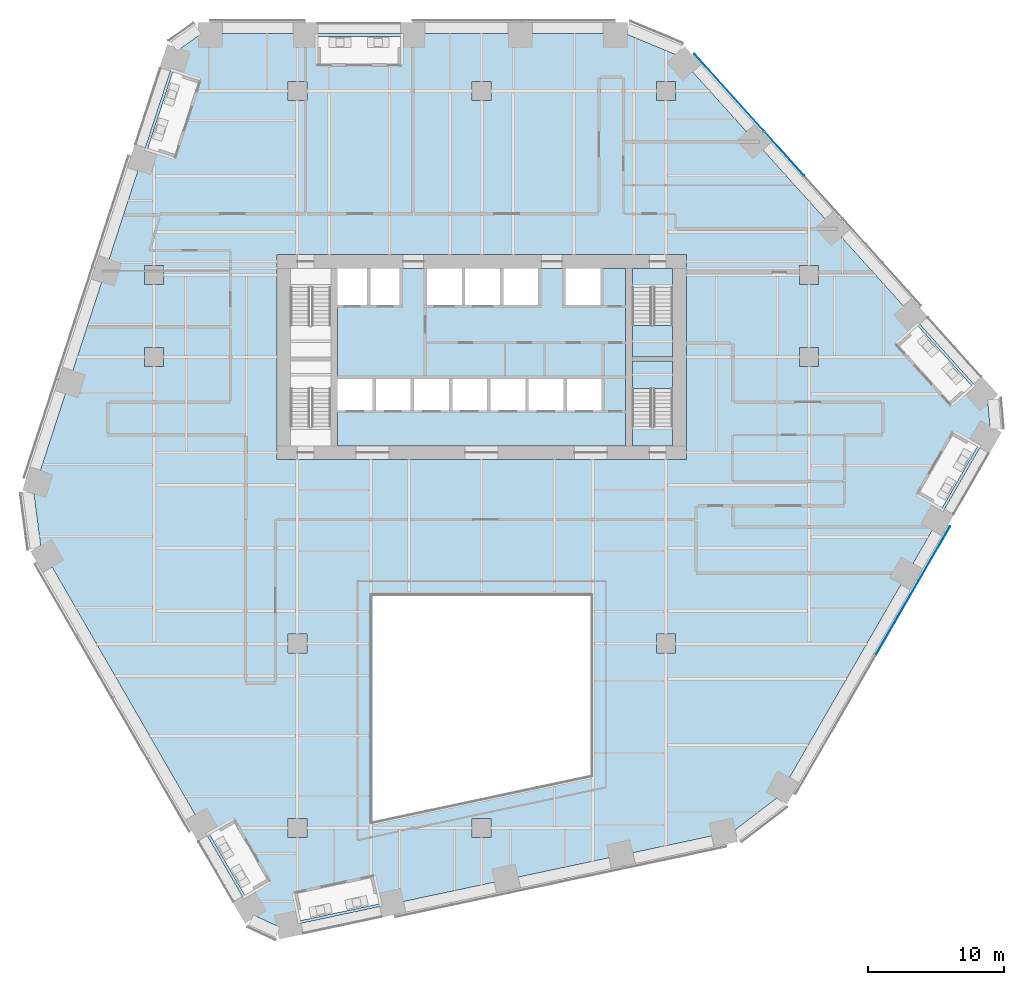
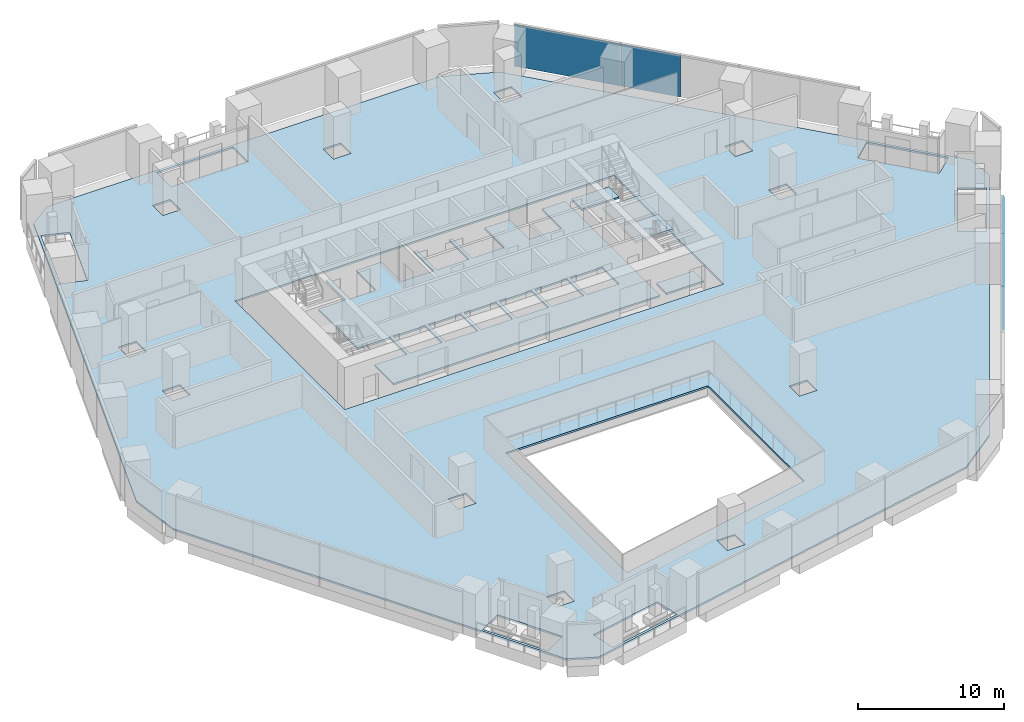
# One storey, part 18 of 28: 6 slabs, 4 plates, 4 elements without a shape of their own.
"""IFC4 building model written with IfcOpenShell, lengths in metres."""

import ifcopenshell
import ifcopenshell.guid

model = None  # the IFC model being written
_history = None  # IfcOwnerHistory: only IFC2X3 demands one
_inside = {}  # id of a spatial element -> (the spatial element, [elements in it])
_under = {}  # id of a project, library or spatial element -> (it, [spatial elements below it])
_declared = {}  # id of a project -> (the project, [libraries it declares])
_typed = {}  # id of a type object -> (the type object, [elements of that type])
_made_of = {}  # id of a material, layer set ... -> (it, [elements and type objects made of it])


def new_model(schema):
    """Start an empty IFC model of exactly this schema.

    Asked for "IFC4X3", IfcOpenShell would pick the latest addendum, in which some entities
    have other attributes; the version numbers below select the first issue.
    IFC2X3 requires an IfcOwnerHistory on every rooted entity: one is made here for all.
    """
    global model, _history
    if schema == "IFC4X3":
        model = ifcopenshell.file(schema_version=(4, 3, 0, 0))
    else:
        model = ifcopenshell.file(schema=schema)
    _inside.clear()
    _under.clear()
    _declared.clear()
    _typed.clear()
    _made_of.clear()
    _history = None
    if model.schema == "IFC2X3":
        org = make("IfcOrganization", Name="unknown")
        user = make(
            "IfcPersonAndOrganization",
            ThePerson=make("IfcPerson", FamilyName="unknown"),
            TheOrganization=org,
        )
        app = make(
            "IfcApplication",
            ApplicationDeveloper=org,
            Version="unknown",
            ApplicationFullName="unknown",
            ApplicationIdentifier="unknown",
        )
        _history = make(
            "IfcOwnerHistory",
            OwningUser=user,
            OwningApplication=app,
            ChangeAction="ADDED",
            CreationDate=0,
        )
    return model


def make(cls, **values):
    """One entity of the class cls with the attributes given. An attribute that is None is left unset."""
    return model.create_entity(
        cls, **{name: value for name, value in values.items() if value is not None}
    )


def rooted(cls, **values):
    """An entity with a GlobalId (a new one), such as an element, a storey or a relation."""
    return make(cls, GlobalId=ifcopenshell.guid.new(), OwnerHistory=_history, **values)


def si_unit(unit_type, name, prefix=None):
    """IfcSIUnit, for example si_unit("LENGTHUNIT", "METRE", prefix="MILLI")."""
    return make("IfcSIUnit", UnitType=unit_type, Prefix=prefix, Name=name)


def assignment(units):
    """IfcUnitAssignment: the units of a project."""
    return None if units is None else make("IfcUnitAssignment", Units=units)


def point(xyz):
    """IfcCartesianPoint."""
    return None if xyz is None else make("IfcCartesianPoint", Coordinates=xyz)


def direction(xyz):
    """IfcDirection."""
    return None if xyz is None else make("IfcDirection", DirectionRatios=xyz)


def frame(location, z_axis=None, x_axis=None):
    """IfcAxis2Placement3D, a coordinate frame: its origin and axes. An axis left out is left unset."""
    return make(
        "IfcAxis2Placement3D",
        Location=point(location),
        Axis=direction(z_axis),
        RefDirection=direction(x_axis),
    )


def frame_2d(location, x_axis=None):
    """IfcAxis2Placement2D, a coordinate frame in the plane: its origin and x axis."""
    return make(
        "IfcAxis2Placement2D", Location=point(location), RefDirection=direction(x_axis)
    )


def origin():
    """The frame at (0, 0, 0) with its axes left unset."""
    return frame((0.0, 0.0, 0.0))


def origin_2d():
    """The frame at (0, 0) in the plane with its x axis left unset."""
    return frame_2d((0.0, 0.0))


def place(relative_to, where):
    """IfcLocalPlacement: puts the frame where relative to a parent placement (None: the world)."""
    return make(
        "IfcLocalPlacement", PlacementRelTo=relative_to, RelativePlacement=where
    )


def context(
    kind, dimensions, precision=None, world=None, true_north=None, identifier=None
):
    """IfcGeometricRepresentationContext, for example the 3D "Model" context."""
    return make(
        "IfcGeometricRepresentationContext",
        ContextIdentifier=identifier,
        ContextType=kind,
        CoordinateSpaceDimension=dimensions,
        Precision=precision,
        WorldCoordinateSystem=world,
        TrueNorth=true_north,
    )


def subcontext(parent, identifier, kind, view, scale=None):
    """IfcGeometricRepresentationSubContext, for example "Body" below "Model"."""
    return make(
        "IfcGeometricRepresentationSubContext",
        ContextIdentifier=identifier,
        ContextType=kind,
        ParentContext=parent,
        TargetScale=scale,
        TargetView=view,
    )


def project(units=None, contexts=None):
    """IfcProject with its units and contexts."""
    return rooted(
        "IfcProject",
        Name="project",
        RepresentationContexts=contexts,
        UnitsInContext=assignment(units),
    )


def spatial(cls, under=None, at=None, **own):
    """A site, building, storey or space (cls), placed at a placement, below another one or the project."""
    s = rooted(cls, ObjectPlacement=at, **own)
    if under is not None:
        _under.setdefault(under.id(), (under, []))[1].append(s)
    return s


def polyline(points):
    """IfcPolyline through the points."""
    return make("IfcPolyline", Points=[point(p) for p in points])


def profile(cls, at=None, kind="AREA", **sizes):
    """A parametric profile (cls). Its sizes go by their IFC names, for example OverallWidth=200.0."""
    return make(cls, ProfileType=kind, Position=at, **sizes)


def rectangle(**sizes):
    """IfcRectangleProfileDef."""
    return profile("IfcRectangleProfileDef", **sizes)


def outline(outer, holes=None, kind="AREA"):
    """IfcArbitraryClosedProfileDef: a profile drawn as a closed curve; with holes, ...WithVoids."""
    if holes is None:
        return make("IfcArbitraryClosedProfileDef", ProfileType=kind, OuterCurve=outer)
    return make(
        "IfcArbitraryProfileDefWithVoids",
        ProfileType=kind,
        OuterCurve=outer,
        InnerCurves=holes,
    )


def extrude(swept, where, along, depth):
    """IfcExtrudedAreaSolid: the profile swept, set in the frame where, extruded along a direction by depth."""
    return make(
        "IfcExtrudedAreaSolid",
        SweptArea=swept,
        Position=where,
        ExtrudedDirection=direction(along),
        Depth=depth,
    )


def shape(context_of_items, identifier, shape_type, items):
    """IfcShapeRepresentation: the items that make up one representation, for example the "Body"."""
    return make(
        "IfcShapeRepresentation",
        ContextOfItems=context_of_items,
        RepresentationIdentifier=identifier,
        RepresentationType=shape_type,
        Items=items,
    )


def material(Name=None, Category=None):
    """IfcMaterial."""
    return make("IfcMaterial", Name=Name, Category=Category)


def layer(
    of_material, thickness, ventilated=None, Name=None, Category=None, Priority=None
):
    """IfcMaterialLayer: one layer of a wall or slab, of a material (None: an air gap)."""
    return make(
        "IfcMaterialLayer",
        Material=of_material,
        LayerThickness=thickness,
        IsVentilated=ventilated,
        Name=Name,
        Category=Category,
        Priority=Priority,
    )


def layer_set(layers, Name=None):
    """IfcMaterialLayerSet."""
    return make("IfcMaterialLayerSet", MaterialLayers=layers, LayerSetName=Name)


def made_of(thing, what):
    """Note that an element or type object is made of a material, layer set ...; save() writes the relation."""
    if what is not None:
        _made_of.setdefault(what.id(), (what, []))[1].append(thing)
    return thing


def type_object(cls, material=None, **own):
    """A type object (cls), such as IfcWallType, which elements share."""
    return made_of(rooted(cls, **own), material)


def element(
    cls,
    number,
    at=None,
    inside=None,
    cuts=None,
    type_object=None,
    material=None,
    context=None,
    identifier="Body",
    shape_type=None,
    held_by="IfcProductDefinitionShape",
    body=None,
    shapes=None,
    **own,
):
    """One element of the class cls, such as IfcWall. Its Tag is "e" and its number.

    at: its placement. inside: the storey or other place that contains it. cuts: it is an
    opening in that element (IfcRelVoidsElement). A single representation is given by context,
    identifier, shape_type and body (its items); several are given by shapes. held_by: the class
    of the entity that holds the representations. save() writes the other relations.
    """
    e = rooted(cls, Tag="e%d" % number, ObjectPlacement=at, **own)
    if body is not None:
        shapes = [shape(context, identifier, shape_type, body)]
    if shapes is not None:
        e.Representation = make(held_by, Representations=shapes)
    if inside is not None:
        _inside.setdefault(inside.id(), (inside, []))[1].append(e)
    if cuts is not None:
        rooted(
            "IfcRelVoidsElement", RelatingBuildingElement=cuts, RelatedOpeningElement=e
        )
    if type_object is not None:
        _typed.setdefault(type_object.id(), (type_object, []))[1].append(e)
    return made_of(e, material)


def aggregate(whole, parts):
    """IfcRelAggregates: a whole, such as a stair, and the parts it consists of."""
    return rooted("IfcRelAggregates", RelatingObject=whole, RelatedObjects=parts)


def save(model, path):
    """Write the relations noted so far, then the file.

    IfcRelAggregates (storeys below a building ...), IfcRelContainedInSpatialStructure (elements
    in a storey), IfcRelDefinesByType, IfcRelAssociatesMaterial and IfcRelDeclares: one each for
    every whole, place, type object, material and project.
    """
    for whole, parts in _under.values():
        aggregate(whole, parts)
    for where, things in _inside.values():
        rooted(
            "IfcRelContainedInSpatialStructure",
            RelatedElements=things,
            RelatingStructure=where,
        )
    for kind, things in _typed.values():
        rooted("IfcRelDefinesByType", RelatedObjects=things, RelatingType=kind)
    for what, things in _made_of.values():
        rooted("IfcRelAssociatesMaterial", RelatedObjects=things, RelatingMaterial=what)
    for by, libraries in _declared.values():
        rooted("IfcRelDeclares", RelatingContext=by, RelatedDefinitions=libraries)
    model.write(path)


model = new_model("IFC4")

# Units and contexts
model_context = context("Model", 3, precision=1e-05, world=origin(), true_north=direction((0.0, 1.0)))
body_context = subcontext(model_context, "Body", "Model", "MODEL_VIEW")
ifc_project = project(units=[si_unit("LENGTHUNIT", "METRE"), si_unit("AREAUNIT", "SQUARE_METRE"), si_unit("VOLUMEUNIT", "CUBIC_METRE"), si_unit("PLANEANGLEUNIT", "RADIAN"), si_unit("MASSUNIT", "GRAM", prefix="KILO")], contexts=[model_context])

# Site, building, storey
site_placement = place(None, origin())
site = spatial("IfcSite", under=ifc_project, at=site_placement, CompositionType="ELEMENT")
building_placement = place(site_placement, origin())
building = spatial("IfcBuilding", under=site, at=building_placement, Name="Isthmus Gate Tower", CompositionType="ELEMENT")
storey_placement = place(building_placement, frame((0.0, 0.0, 68.85009765625)))
storey = spatial("IfcBuildingStorey", under=building, at=storey_placement, Name="L15", CompositionType="ELEMENT", Elevation=68.85009765625)

# Slabs
ifc_material_1 = material(Name="Concrete f'c 40 MPa", Category="concrete")
ifc_layer_1 = layer(ifc_material_1, 0.14990234375)
ifc_layer_set_1 = layer_set([ifc_layer_1], Name="COMPOSITE FLOOR SLAB 150")
slab_type_1 = type_object("IfcSlabType", Name="COMPOSITE FLOOR SLAB 150", PredefinedType="FLOOR", material=ifc_layer_set_1)
slab_1_placement = place(storey_placement, frame((0.0, 0.0, -0.150146484375)))
element("IfcSlab", 1, at=slab_1_placement, inside=storey, type_object=slab_type_1, Name="str-slab-L15-1", PredefinedType="FLOOR", context=body_context, shape_type="SweptSolid", body=[
    extrude(outline(polyline([(14.391357421875, 29.599365234375), (37.081787109375, 4.399169921875), (37.281494140625, 2.17333984375), (21.748779296875, -24.729736328125), (18.438232421875, -27.262939453125), (-14.73095703125, -34.313232421875), (-16.758544921875, -33.373291015625), (-32.291015625, -6.47021484375), (-32.82958984375, -2.33642578125), (-22.3505859375, 29.9140625), (-20.52294921875, 31.199951171875), (10.542236328125, 31.199951171875), (14.391357421875, 29.599365234375)]), holes=[polyline([(-7.51220703125, -32.574462890625), (-7.927978515625, -30.6181640625), (-13.688720703125, -31.842529296875), (-13.272705078125, -33.798828125), (-7.51220703125, -32.574462890625)]), polyline([(-17.358642578125, -31.933837890625), (-15.626708984375, -30.933837890625), (-18.198486328125, -26.4794921875), (-19.930419921875, -27.4794921875), (-17.358642578125, -31.933837890625)]), polyline([(-14.199951171875, -26.300048828125), (-14.199951171875, -27.699951171875), (-12.800048828125, -27.699951171875), (-12.800048828125, -26.300048828125), (-14.199951171875, -26.300048828125)]), polyline([(-0.699951171875, -26.300048828125), (-0.699951171875, -27.699951171875), (0.699951171875, -27.699951171875), (0.699951171875, -26.300048828125), (-0.699951171875, -26.300048828125)]), polyline([(-14.199951171875, -12.800048828125), (-14.199951171875, -14.199951171875), (-12.800048828125, -14.199951171875), (-12.800048828125, -12.800048828125), (-14.199951171875, -12.800048828125)]), polyline([(-23.300048828125, 8.199951171875), (-24.699951171875, 8.199951171875), (-24.699951171875, 6.800048828125), (-23.300048828125, 6.800048828125), (-23.300048828125, 8.199951171875)]), polyline([(-23.300048828125, 14.199951171875), (-24.699951171875, 14.199951171875), (-24.699951171875, 12.800048828125), (-23.300048828125, 12.800048828125), (-23.300048828125, 14.199951171875)]), polyline([(-22.63427734375, 28.39404296875), (-24.4541015625, 22.79296875), (-22.552001953125, 22.1748046875), (-20.732177734375, 27.77587890625), (-22.63427734375, 28.39404296875)]), polyline([(-12.800048828125, 27.699951171875), (-14.199951171875, 27.699951171875), (-14.199951171875, 26.300048828125), (-12.800048828125, 26.300048828125), (-12.800048828125, 27.699951171875)]), polyline([(-12.006591796875, 31.0), (-12.006591796875, 29.0), (-5.937255859375, 29.0), (-5.937255859375, 31.0), (-12.006591796875, 31.0)]), polyline([(8.0, -23.143310546875), (8.0, -10.0), (-8.0, -10.0), (-8.0, -26.544189453125), (8.0, -23.143310546875)]), polyline([(14.199951171875, -12.800048828125), (12.800048828125, -12.800048828125), (12.800048828125, -14.199951171875), (14.199951171875, -14.199951171875), (14.199951171875, -12.800048828125)]), polyline([(33.75, -3.54296875), (36.3349609375, 0.933837890625), (34.602783203125, 1.933837890625), (32.01806640625, -2.54296875), (33.75, -3.54296875)]), polyline([(35.906982421875, 5.40478515625), (31.96630859375, 9.781494140625), (30.47998046875, 8.443115234375), (34.4208984375, 4.066650390625), (35.906982421875, 5.40478515625)]), polyline([(15.0, 15.0), (-15.0, 15.0), (-15.0, 0.0), (15.0, 0.0), (15.0, 15.0)]), polyline([(24.699951171875, 8.199951171875), (23.300048828125, 8.199951171875), (23.300048828125, 6.800048828125), (24.699951171875, 6.800048828125), (24.699951171875, 8.199951171875)]), polyline([(23.300048828125, 14.199951171875), (23.300048828125, 12.800048828125), (24.699951171875, 12.800048828125), (24.699951171875, 14.199951171875), (23.300048828125, 14.199951171875)]), polyline([(0.699951171875, 26.300048828125), (0.699951171875, 27.699951171875), (-0.699951171875, 27.699951171875), (-0.699951171875, 26.300048828125), (0.699951171875, 26.300048828125)]), polyline([(14.199951171875, 26.300048828125), (14.199951171875, 27.699951171875), (12.800048828125, 27.699951171875), (12.800048828125, 26.300048828125), (14.199951171875, 26.300048828125)])]), origin(), (0.0, 0.0, 1.0), 0.150146484375),
])
ifc_material_2 = material(Name="Concrete f'c 40 MPa", Category="concrete")
ifc_layer_2 = layer(ifc_material_2, 0.14990234375)
ifc_layer_set_2 = layer_set([ifc_layer_2], Name="CORE FLOOR SLAB 150")
slab_type_2 = type_object("IfcSlabType", Name="CORE FLOOR SLAB 150", PredefinedType="FLOOR", material=ifc_layer_set_2)
slab_2_placement = place(storey_placement, frame((0.0, 0.0, -0.150146484375)))
element("IfcSlab", 2, at=slab_2_placement, inside=storey, type_object=slab_type_2, Name="L15 core floor", PredefinedType="FLOOR", context=body_context, shape_type="SweptSolid", body=[
    extrude(outline(polyline([(10.550048828125, 14.0), (8.699951171875, 14.0), (8.699951171875, 11.300048828125), (6.14990234375, 11.300048828125), (6.14990234375, 14.0), (4.14990234375, 14.0), (4.14990234375, 11.300048828125), (1.60009765625, 11.300048828125), (1.60009765625, 14.0), (1.35009765625, 14.0), (1.35009765625, 11.300048828125), (-1.199951171875, 11.300048828125), (-1.199951171875, 14.0), (-1.449951171875, 14.0), (-1.449951171875, 11.300048828125), (-4.0, 11.300048828125), (-4.0, 14.0), (-6.0, 14.0), (-6.0, 11.300048828125), (-8.14990234375, 11.300048828125), (-8.14990234375, 14.0), (-8.39990234375, 14.0), (-8.39990234375, 11.300048828125), (-10.550048828125, 11.300048828125), (-10.550048828125, 5.89990234375), (-8.0, 5.89990234375), (-8.0, 3.60009765625), (-10.550048828125, 3.60009765625), (-10.550048828125, 1.0), (10.550048828125, 1.0), (10.550048828125, 14.0)]), holes=[polyline([(-5.199951171875, 5.89990234375), (-5.199951171875, 3.60009765625), (-7.75, 3.60009765625), (-7.75, 5.89990234375), (-5.199951171875, 5.89990234375)]), polyline([(-2.39990234375, 5.89990234375), (-2.39990234375, 3.60009765625), (-4.949951171875, 3.60009765625), (-4.949951171875, 5.89990234375), (-2.39990234375, 5.89990234375)]), polyline([(0.39990234375, 5.89990234375), (0.39990234375, 3.60009765625), (-2.14990234375, 3.60009765625), (-2.14990234375, 5.89990234375), (0.39990234375, 5.89990234375)]), polyline([(3.199951171875, 5.89990234375), (3.199951171875, 3.60009765625), (0.64990234375, 3.60009765625), (0.64990234375, 5.89990234375), (3.199951171875, 5.89990234375)]), polyline([(6.0, 5.89990234375), (6.0, 3.60009765625), (3.449951171875, 3.60009765625), (3.449951171875, 5.89990234375), (6.0, 5.89990234375)]), polyline([(8.800048828125, 5.89990234375), (8.800048828125, 3.60009765625), (6.25, 3.60009765625), (6.25, 5.89990234375), (8.800048828125, 5.89990234375)])]), origin(), (0.0, 0.0, 1.0), 0.150146484375),
])
slab_3_placement = place(storey_placement, frame((0.0, 0.0, -0.150146484375)))
element("IfcSlab", 3, at=slab_3_placement, inside=storey, type_object=slab_type_2, Name="L15 core floor", PredefinedType="FLOOR", context=body_context, shape_type="SweptSolid", body=[
    extrude(outline(polyline([(14.0, 1.0), (14.0, 2.402099609375), (11.050048828125, 2.402099609375), (11.050048828125, 1.0), (14.0, 1.0)])), origin(), (0.0, 0.0, 1.0), 0.150146484375),
])
slab_4_placement = place(storey_placement, frame((0.0, 0.0, -0.150146484375)))
element("IfcSlab", 4, at=slab_4_placement, inside=storey, type_object=slab_type_2, Name="L15 core floor", PredefinedType="FLOOR", context=body_context, shape_type="SweptSolid", body=[
    extrude(outline(polyline([(11.050048828125, 14.0), (11.050048828125, 12.597900390625), (14.0, 12.597900390625), (14.0, 14.0), (11.050048828125, 14.0)])), origin(), (0.0, 0.0, 1.0), 0.150146484375),
])

# Curtain wall, plates
ifc_material_3 = material(Name="Aluminium, pale champagne anodised", Category="aluminium")
ifc_layer_3 = layer(ifc_material_3, 0.199951171875)
ifc_layer_set_3 = layer_set([ifc_layer_3], Name="CW-1 UNITISED CURTAIN WALL 200 DEEP")
curtain_wall_type = type_object("IfcCurtainWallType", Name="CW-1 UNITISED CURTAIN WALL 200 DEEP", PredefinedType="NOTDEFINED", material=ifc_layer_set_3)
curtain_wall_1_placement = place(storey_placement, origin())
curtain_wall_1 = element("IfcCurtainWall", 5, at=curtain_wall_1_placement, inside=storey, type_object=curtain_wall_type, Name="CW-1 SE L15", PredefinedType="NOTDEFINED")
ifc_material_4 = material(Name="Laminated low-iron glass, pale blue tint", Category="glass")
ifc_layer_4 = layer(ifc_material_4, 0.0400390625)
ifc_layer_set_4 = layer_set([ifc_layer_4], Name="CW-1 CLEAR GLASS LITE 40")
plate_type = type_object("IfcPlateType", Name="CW-1 CLEAR GLASS LITE 40", PredefinedType="CURTAIN_PANEL", material=ifc_layer_set_4)
plate_1_placement = place(storey_placement, frame((30.4560546875, -11.608642578125, 0.0), z_axis=(0.0, 0.0, 1.0), x_axis=(0.5, 0.866025403784, 0.0)))
plate_1 = element("IfcPlate", 6, at=plate_1_placement, type_object=plate_type, Name="CW-1 glass lite", PredefinedType="CURTAIN_PANEL", context=body_context, shape_type="SweptSolid", body=[
    extrude(rectangle(XDim=6.278564453125, YDim=0.0400390625, at=origin_2d()), origin(), (0.0, 0.0, 1.0), 3.5),
])
plate_2_placement = place(storey_placement, frame((33.173828125, -6.901123046875, 0.0), z_axis=(0.0, 0.0, 1.0), x_axis=(0.5, 0.866025403784, 0.0)))
plate_2 = element("IfcPlate", 7, at=plate_2_placement, type_object=plate_type, Name="CW-1 glass lite", PredefinedType="CURTAIN_PANEL", context=body_context, shape_type="SweptSolid", body=[
    extrude(rectangle(XDim=4.5927734375, YDim=0.0400390625, at=origin_2d()), origin(), (0.0, 0.0, 1.0), 3.5),
])
aggregate(curtain_wall_1, [plate_1, plate_2])

curtain_wall_2_placement = place(storey_placement, origin())
curtain_wall_2 = element("IfcCurtainWall", 8, at=curtain_wall_2_placement, inside=storey, type_object=curtain_wall_type, Name="CW-1 NE L15", PredefinedType="NOTDEFINED")
plate_3_placement = place(storey_placement, frame((22.18310546875, 22.410400390625, 0.0), z_axis=(0.0, 0.0, 1.0), x_axis=(-0.669130606359, 0.743144825477, 0.0)))
plate_3 = element("IfcPlate", 9, at=plate_3_placement, type_object=plate_type, Name="CW-1 glass lite", PredefinedType="CURTAIN_PANEL", context=body_context, shape_type="SweptSolid", body=[
    extrude(rectangle(XDim=4.294677734375, YDim=0.0400390625, at=origin_2d()), origin(), (0.0, 0.0, 1.0), 3.5),
])
plate_4_placement = place(storey_placement, frame((18.153564453125, 26.885498046875, 0.0), z_axis=(0.0, 0.0, 1.0), x_axis=(-0.669130606359, 0.743144825477, 0.0)))
plate_4 = element("IfcPlate", 10, at=plate_4_placement, type_object=plate_type, Name="CW-1 glass lite", PredefinedType="CURTAIN_PANEL", context=body_context, shape_type="SweptSolid", body=[
    extrude(rectangle(XDim=7.62939453125, YDim=0.0400390625, at=origin_2d()), origin(), (0.0, 0.0, 1.0), 3.5),
])
aggregate(curtain_wall_2, [plate_3, plate_4])

# Stair, slab
ifc_material_5 = material(Name="Concrete f'c 40 MPa", Category="concrete")
stair_type = type_object("IfcStairType", Name="CORE STAIR 22 RISERS", PredefinedType="HALF_TURN_STAIR", material=ifc_material_5)
stair_1_placement = place(storey_placement, origin())
stair_1 = element("IfcStair", 11, at=stair_1_placement, inside=storey, type_object=stair_type, Name="L15 Exit Stair 2", PredefinedType="HALF_TURN_STAIR")
ifc_material_6 = material(Name="Concrete f'c 40 MPa", Category="concrete")
ifc_layer_5 = layer(ifc_material_6, 0.199951171875)
ifc_layer_set_5 = layer_set([ifc_layer_5])
slab_type_3 = type_object("IfcSlabType", Name="STAIR LANDING RC 200", PredefinedType="LANDING", material=ifc_layer_set_5)
slab_5_placement = place(storey_placement, frame((0.0, 0.0, 1.625)))
slab_5 = element("IfcSlab", 12, at=slab_5_placement, type_object=slab_type_3, Name="ST2 landing 1", PredefinedType="LANDING", context=body_context, shape_type="SweptSolid", body=[
    extrude(outline(polyline([(11.050048828125, 9.800048828125), (11.050048828125, 7.5), (14.0, 7.5), (14.0, 9.800048828125), (11.050048828125, 9.800048828125)])), origin(), (0.0, 0.0, 1.0), 0.199951171875),
])
aggregate(stair_1, [slab_5])

stair_2_placement = place(storey_placement, origin())
stair_2 = element("IfcStair", 13, at=stair_2_placement, inside=storey, type_object=stair_type, Name="L15 Exit Stair 8", PredefinedType="HALF_TURN_STAIR")
slab_6_placement = place(storey_placement, frame((0.0, 0.0, 1.625)))
slab_6 = element("IfcSlab", 14, at=slab_6_placement, type_object=slab_type_3, Name="ST8 landing 1", PredefinedType="LANDING", context=body_context, shape_type="SweptSolid", body=[
    extrude(outline(polyline([(14.0, 5.199951171875), (14.0, 7.199951171875), (11.050048828125, 7.199951171875), (11.050048828125, 5.199951171875), (14.0, 5.199951171875)])), origin(), (0.0, 0.0, 1.0), 0.199951171875),
])
aggregate(stair_2, [slab_6])

save(model, "model.ifc")
